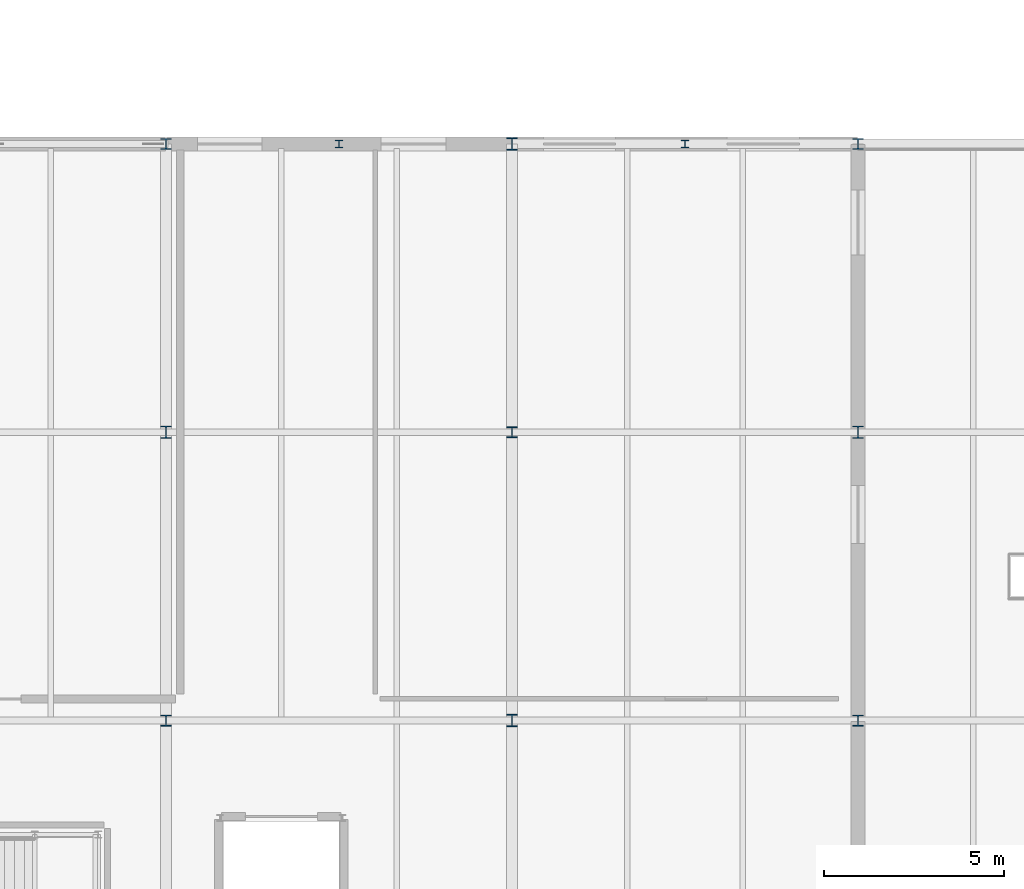
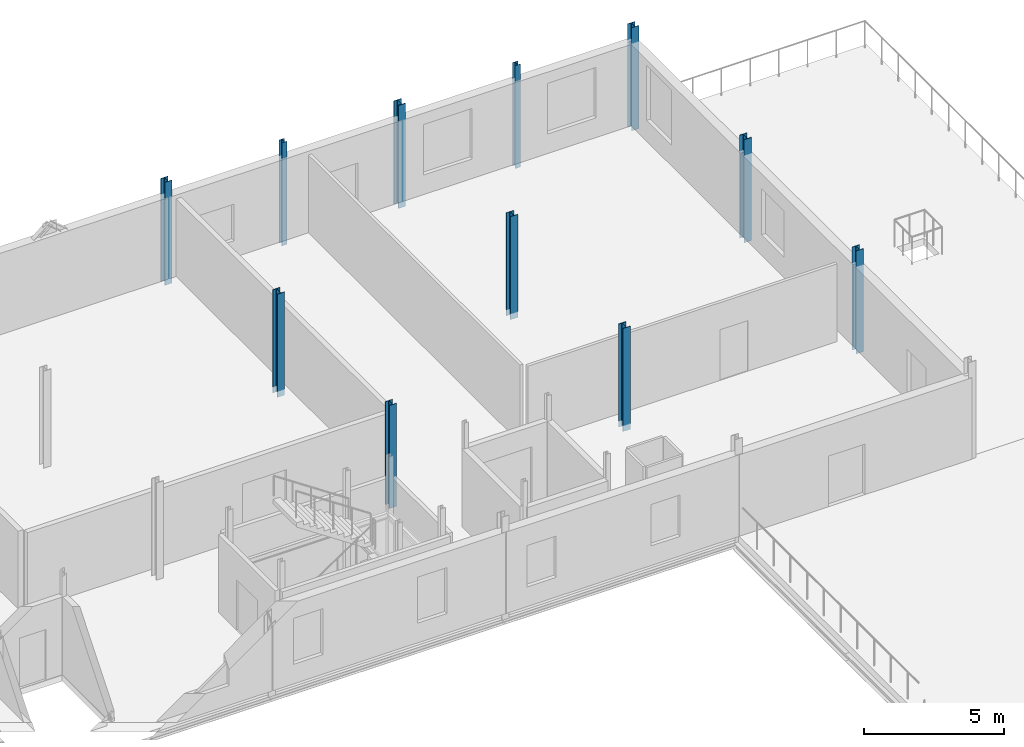
# One storey, part 17 of 73: 11 columns.
"""IFC4 building model written with IfcOpenShell, lengths in metres."""

import ifcopenshell
import ifcopenshell.guid

model = None  # the IFC model being written
_history = None  # IfcOwnerHistory: only IFC2X3 demands one
_inside = {}  # id of a spatial element -> (the spatial element, [elements in it])
_under = {}  # id of a project, library or spatial element -> (it, [spatial elements below it])
_declared = {}  # id of a project -> (the project, [libraries it declares])
_typed = {}  # id of a type object -> (the type object, [elements of that type])
_made_of = {}  # id of a material, layer set ... -> (it, [elements and type objects made of it])


def new_model(schema):
    """Start an empty IFC model of exactly this schema.

    Asked for "IFC4X3", IfcOpenShell would pick the latest addendum, in which some entities
    have other attributes; the version numbers below select the first issue.
    IFC2X3 requires an IfcOwnerHistory on every rooted entity: one is made here for all.
    """
    global model, _history
    if schema == "IFC4X3":
        model = ifcopenshell.file(schema_version=(4, 3, 0, 0))
    else:
        model = ifcopenshell.file(schema=schema)
    _inside.clear()
    _under.clear()
    _declared.clear()
    _typed.clear()
    _made_of.clear()
    _history = None
    if model.schema == "IFC2X3":
        org = make("IfcOrganization", Name="unknown")
        user = make(
            "IfcPersonAndOrganization",
            ThePerson=make("IfcPerson", FamilyName="unknown"),
            TheOrganization=org,
        )
        app = make(
            "IfcApplication",
            ApplicationDeveloper=org,
            Version="unknown",
            ApplicationFullName="unknown",
            ApplicationIdentifier="unknown",
        )
        _history = make(
            "IfcOwnerHistory",
            OwningUser=user,
            OwningApplication=app,
            ChangeAction="ADDED",
            CreationDate=0,
        )
    return model


def make(cls, **values):
    """One entity of the class cls with the attributes given. An attribute that is None is left unset."""
    return model.create_entity(
        cls, **{name: value for name, value in values.items() if value is not None}
    )


def rooted(cls, **values):
    """An entity with a GlobalId (a new one), such as an element, a storey or a relation."""
    return make(cls, GlobalId=ifcopenshell.guid.new(), OwnerHistory=_history, **values)


def si_unit(unit_type, name, prefix=None):
    """IfcSIUnit, for example si_unit("LENGTHUNIT", "METRE", prefix="MILLI")."""
    return make("IfcSIUnit", UnitType=unit_type, Prefix=prefix, Name=name)


def assignment(units):
    """IfcUnitAssignment: the units of a project."""
    return None if units is None else make("IfcUnitAssignment", Units=units)


def point(xyz):
    """IfcCartesianPoint."""
    return None if xyz is None else make("IfcCartesianPoint", Coordinates=xyz)


def direction(xyz):
    """IfcDirection."""
    return None if xyz is None else make("IfcDirection", DirectionRatios=xyz)


def frame(location, z_axis=None, x_axis=None):
    """IfcAxis2Placement3D, a coordinate frame: its origin and axes. An axis left out is left unset."""
    return make(
        "IfcAxis2Placement3D",
        Location=point(location),
        Axis=direction(z_axis),
        RefDirection=direction(x_axis),
    )


def frame_2d(location, x_axis=None):
    """IfcAxis2Placement2D, a coordinate frame in the plane: its origin and x axis."""
    return make(
        "IfcAxis2Placement2D", Location=point(location), RefDirection=direction(x_axis)
    )


def origin():
    """The frame at (0, 0, 0) with its axes left unset."""
    return frame((0.0, 0.0, 0.0))


def origin_2d():
    """The frame at (0, 0) in the plane with its x axis left unset."""
    return frame_2d((0.0, 0.0))


def place(relative_to, where):
    """IfcLocalPlacement: puts the frame where relative to a parent placement (None: the world)."""
    return make(
        "IfcLocalPlacement", PlacementRelTo=relative_to, RelativePlacement=where
    )


def context(
    kind, dimensions, precision=None, world=None, true_north=None, identifier=None
):
    """IfcGeometricRepresentationContext, for example the 3D "Model" context."""
    return make(
        "IfcGeometricRepresentationContext",
        ContextIdentifier=identifier,
        ContextType=kind,
        CoordinateSpaceDimension=dimensions,
        Precision=precision,
        WorldCoordinateSystem=world,
        TrueNorth=true_north,
    )


def subcontext(parent, identifier, kind, view, scale=None):
    """IfcGeometricRepresentationSubContext, for example "Body" below "Model"."""
    return make(
        "IfcGeometricRepresentationSubContext",
        ContextIdentifier=identifier,
        ContextType=kind,
        ParentContext=parent,
        TargetScale=scale,
        TargetView=view,
    )


def project(units=None, contexts=None):
    """IfcProject with its units and contexts."""
    return rooted(
        "IfcProject",
        Name="project",
        RepresentationContexts=contexts,
        UnitsInContext=assignment(units),
    )


def spatial(cls, under=None, at=None, **own):
    """A site, building, storey or space (cls), placed at a placement, below another one or the project."""
    s = rooted(cls, ObjectPlacement=at, **own)
    if under is not None:
        _under.setdefault(under.id(), (under, []))[1].append(s)
    return s


def profile(cls, at=None, kind="AREA", **sizes):
    """A parametric profile (cls). Its sizes go by their IFC names, for example OverallWidth=200.0."""
    return make(cls, ProfileType=kind, Position=at, **sizes)


def i_section(**sizes):
    """IfcIShapeProfileDef."""
    return profile("IfcIShapeProfileDef", **sizes)


def extrude(swept, where, along, depth):
    """IfcExtrudedAreaSolid: the profile swept, set in the frame where, extruded along a direction by depth."""
    return make(
        "IfcExtrudedAreaSolid",
        SweptArea=swept,
        Position=where,
        ExtrudedDirection=direction(along),
        Depth=depth,
    )


def shape(context_of_items, identifier, shape_type, items):
    """IfcShapeRepresentation: the items that make up one representation, for example the "Body"."""
    return make(
        "IfcShapeRepresentation",
        ContextOfItems=context_of_items,
        RepresentationIdentifier=identifier,
        RepresentationType=shape_type,
        Items=items,
    )


def material(Name=None, Category=None):
    """IfcMaterial."""
    return make("IfcMaterial", Name=Name, Category=Category)


def material_profile(
    of_material, cross_section, Name=None, Category=None, Priority=None
):
    """IfcMaterialProfile: a cross section and its material."""
    return make(
        "IfcMaterialProfile",
        Name=Name,
        Material=of_material,
        Profile=cross_section,
        Priority=Priority,
        Category=Category,
    )


def profile_set(profiles, Name=None, composite=None):
    """IfcMaterialProfileSet."""
    return make(
        "IfcMaterialProfileSet",
        Name=Name,
        MaterialProfiles=profiles,
        CompositeProfile=composite,
    )


def made_of(thing, what):
    """Note that an element or type object is made of a material, layer set ...; save() writes the relation."""
    if what is not None:
        _made_of.setdefault(what.id(), (what, []))[1].append(thing)
    return thing


def type_object(cls, material=None, **own):
    """A type object (cls), such as IfcWallType, which elements share."""
    return made_of(rooted(cls, **own), material)


def element(
    cls,
    number,
    at=None,
    inside=None,
    cuts=None,
    type_object=None,
    material=None,
    context=None,
    identifier="Body",
    shape_type=None,
    held_by="IfcProductDefinitionShape",
    body=None,
    shapes=None,
    **own,
):
    """One element of the class cls, such as IfcWall. Its Tag is "e" and its number.

    at: its placement. inside: the storey or other place that contains it. cuts: it is an
    opening in that element (IfcRelVoidsElement). A single representation is given by context,
    identifier, shape_type and body (its items); several are given by shapes. held_by: the class
    of the entity that holds the representations. save() writes the other relations.
    """
    e = rooted(cls, Tag="e%d" % number, ObjectPlacement=at, **own)
    if body is not None:
        shapes = [shape(context, identifier, shape_type, body)]
    if shapes is not None:
        e.Representation = make(held_by, Representations=shapes)
    if inside is not None:
        _inside.setdefault(inside.id(), (inside, []))[1].append(e)
    if cuts is not None:
        rooted(
            "IfcRelVoidsElement", RelatingBuildingElement=cuts, RelatedOpeningElement=e
        )
    if type_object is not None:
        _typed.setdefault(type_object.id(), (type_object, []))[1].append(e)
    return made_of(e, material)


def aggregate(whole, parts):
    """IfcRelAggregates: a whole, such as a stair, and the parts it consists of."""
    return rooted("IfcRelAggregates", RelatingObject=whole, RelatedObjects=parts)


def save(model, path):
    """Write the relations noted so far, then the file.

    IfcRelAggregates (storeys below a building ...), IfcRelContainedInSpatialStructure (elements
    in a storey), IfcRelDefinesByType, IfcRelAssociatesMaterial and IfcRelDeclares: one each for
    every whole, place, type object, material and project.
    """
    for whole, parts in _under.values():
        aggregate(whole, parts)
    for where, things in _inside.values():
        rooted(
            "IfcRelContainedInSpatialStructure",
            RelatedElements=things,
            RelatingStructure=where,
        )
    for kind, things in _typed.values():
        rooted("IfcRelDefinesByType", RelatedObjects=things, RelatingType=kind)
    for what, things in _made_of.values():
        rooted("IfcRelAssociatesMaterial", RelatedObjects=things, RelatingMaterial=what)
    for by, libraries in _declared.values():
        rooted("IfcRelDeclares", RelatingContext=by, RelatedDefinitions=libraries)
    model.write(path)


model = new_model("IFC4")

# Units and contexts
model_context = context("Model", 3, precision=1e-05, world=origin(), true_north=direction((0.0, 1.0)))
body_context = subcontext(model_context, "Body", "Model", "MODEL_VIEW")
ifc_project = project(units=[si_unit("LENGTHUNIT", "METRE"), si_unit("AREAUNIT", "SQUARE_METRE"), si_unit("VOLUMEUNIT", "CUBIC_METRE"), si_unit("PLANEANGLEUNIT", "RADIAN"), si_unit("MASSUNIT", "GRAM", prefix="KILO")], contexts=[model_context])

# Site, building, storey
site_placement = place(None, origin())
site = spatial("IfcSite", under=ifc_project, at=site_placement, CompositionType="ELEMENT")
building_placement = place(site_placement, origin())
building = spatial("IfcBuilding", under=site, at=building_placement, Name="Alderhovde Museum", CompositionType="ELEMENT")
storey_placement = place(building_placement, frame((0.0, 0.0, 12.89990234375)))
storey = spatial("IfcBuildingStorey", under=building, at=storey_placement, Name="L03", CompositionType="ELEMENT", Elevation=12.89990234375)

# Columns
ifc_material_1 = material(Name="Steel S355J2", Category="steel")
ifc_material_profile_1 = material_profile(ifc_material_1, i_section(OverallWidth=0.300048828125, OverallDepth=0.300048828125, WebThickness=0.010986328125, FlangeThickness=0.01904296875, FilletRadius=0.027099609375, at=origin_2d()), Name="HEB 300")
ifc_profile_set_1 = profile_set([ifc_material_profile_1], Name="Steel S355J2")
column_type_1 = type_object("IfcColumnType", Name="COL-HEB300", PredefinedType="COLUMN", material=ifc_profile_set_1)
for number, where, z_axis, x_axis, name in (
    (1, (134.39990234375, 80.0, -0.260009765625), (0.0, 0.0, 1.0), (1.0, 0.0, 0.0), "L03 Column (134.4, 80.0)"),
    (2, (134.39990234375, 96.0, -0.260009765625), (0.0, 0.0, 1.0), (1.0, 0.0, 0.0), "L03 Column (134.4, 96.0)"),
    (3, (144.0, 88.0, -0.260009765625), (0.0, 0.0, 1.0), (1.0, 0.0, 0.0), "L03 Column (144.0, 88.0)"),
    (4, (153.60009765625, 80.0, -0.260009765625), (0.0, 0.0, 1.0), (1.0, 0.0, 0.0), "L03 Column (153.6, 80.0)"),
    (5, (153.60009765625, 96.0, -0.260009765625), (0.0, 0.0, 1.0), (1.0, 0.0, 0.0), "L03 Column (153.6, 96.0)"),
):
    element("IfcColumn", number, at=place(storey_placement, frame(where, z_axis=z_axis, x_axis=x_axis)), inside=storey, type_object=column_type_1, Name=name, PredefinedType="COLUMN", context=body_context, shape_type="SweptSolid", body=[
        extrude(i_section(OverallWidth=0.300048828125, OverallDepth=0.300048828125, WebThickness=0.010986328125, FlangeThickness=0.01904296875, FilletRadius=0.027099609375, at=origin_2d()), origin(), (0.0, 0.0, 1.0), 4.480224609375),
    ])
ifc_material_2 = material(Name="Steel S355J2", Category="steel")
ifc_material_profile_2 = material_profile(ifc_material_2, i_section(OverallWidth=0.300048828125, OverallDepth=0.340087890625, WebThickness=0.011962890625, FlangeThickness=0.021484375, FilletRadius=0.027099609375, at=origin_2d()), Name="HEB 340")
ifc_profile_set_2 = profile_set([ifc_material_profile_2], Name="Steel S355J2")
column_type_2 = type_object("IfcColumnType", Name="COL-HEB340", PredefinedType="COLUMN", material=ifc_profile_set_2)
for number, where, z_axis, x_axis, name in (
    (6, (134.39990234375, 88.0, -0.260009765625), (0.0, 0.0, 1.0), (1.0, 0.0, 0.0), "L03 Column (134.4, 88.0)"),
    (7, (144.0, 80.0, -0.260009765625), (0.0, 0.0, 1.0), (1.0, 0.0, 0.0), "L03 Column (144.0, 80.0)"),
    (8, (144.0, 96.0, -0.260009765625), (0.0, 0.0, 1.0), (1.0, 0.0, 0.0), "L03 Column (144.0, 96.0)"),
    (9, (153.60009765625, 88.0, -0.260009765625), (0.0, 0.0, 1.0), (1.0, 0.0, 0.0), "L03 Column (153.6, 88.0)"),
):
    element("IfcColumn", number, at=place(storey_placement, frame(where, z_axis=z_axis, x_axis=x_axis)), inside=storey, type_object=column_type_2, Name=name, PredefinedType="COLUMN", context=body_context, shape_type="SweptSolid", body=[
        extrude(i_section(OverallWidth=0.300048828125, OverallDepth=0.340087890625, WebThickness=0.011962890625, FlangeThickness=0.021484375, FilletRadius=0.027099609375, at=origin_2d()), origin(), (0.0, 0.0, 1.0), 4.480224609375),
    ])
ifc_material_3 = material(Name="Steel S355J2", Category="steel")
ifc_material_profile_3 = material_profile(ifc_material_3, i_section(OverallWidth=0.219970703125, OverallDepth=0.2099609375, WebThickness=0.007080078125, FlangeThickness=0.010986328125, FilletRadius=0.01806640625, at=origin_2d()), Name="HEA 220")
ifc_profile_set_3 = profile_set([ifc_material_profile_3], Name="Steel S355J2")
column_type_3 = type_object("IfcColumnType", Name="PIL-HEA220", PredefinedType="PILASTER", material=ifc_profile_set_3)
for number, where, z_axis, x_axis, name in (
    (10, (139.199951171875, 96.0, -0.260009765625), (0.0, 0.0, 1.0), (1.0, 0.0, 0.0), "L03 Structural Pilaster (139.2, 96.0)"),
    (11, (148.800048828125, 96.0, -0.260009765625), (0.0, 0.0, 1.0), (1.0, 0.0, 0.0), "L03 Structural Pilaster (148.8, 96.0)"),
):
    element("IfcColumn", number, at=place(storey_placement, frame(where, z_axis=z_axis, x_axis=x_axis)), inside=storey, type_object=column_type_3, Name=name, PredefinedType="PILASTER", context=body_context, shape_type="SweptSolid", body=[
        extrude(i_section(OverallWidth=0.219970703125, OverallDepth=0.2099609375, WebThickness=0.007080078125, FlangeThickness=0.010986328125, FilletRadius=0.01806640625, at=origin_2d()), origin(), (0.0, 0.0, 1.0), 4.480224609375),
    ])

save(model, "model.ifc")
